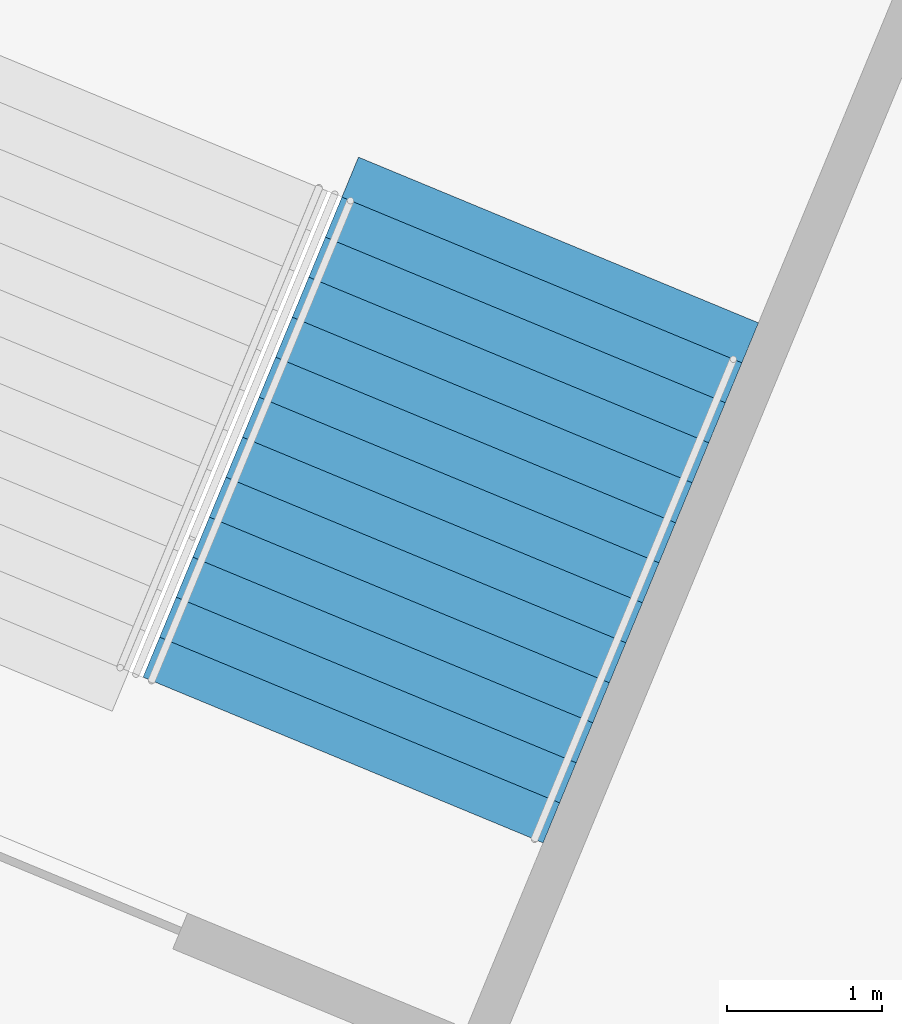
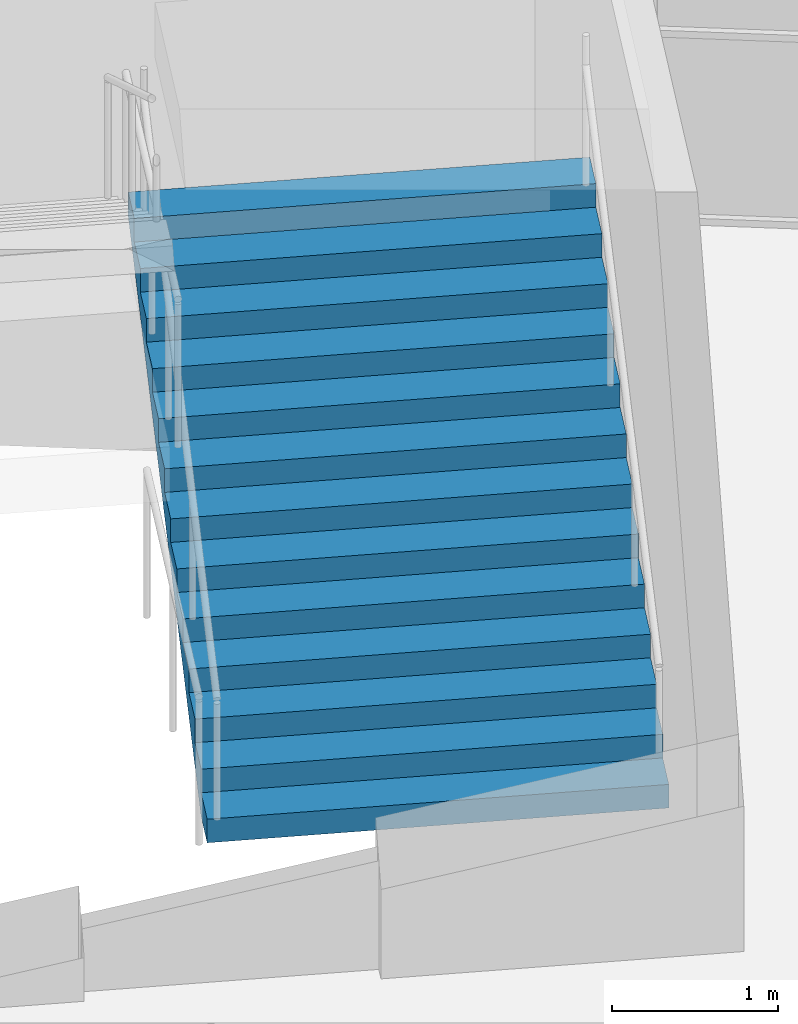
# One storey, part 182 of 199: 1 stair flight, 1 element without a shape of its own.
"""IFC4 building model written with IfcOpenShell, lengths in metres."""

from ifc_helpers import new_model, si_unit, direction, frame, origin, place, context, subcontext, project, spatial, faceted_brep, material, type_object, element, aggregate, save


model = new_model("IFC4")

# Units and contexts
model_context = context("Model", 3, precision=1e-05, world=origin(), true_north=direction((0.0, 1.0)))
body_context = subcontext(model_context, "Body", "Model", "MODEL_VIEW")
ifc_project = project(units=[si_unit("LENGTHUNIT", "METRE"), si_unit("AREAUNIT", "SQUARE_METRE"), si_unit("VOLUMEUNIT", "CUBIC_METRE"), si_unit("PLANEANGLEUNIT", "RADIAN"), si_unit("MASSUNIT", "GRAM", prefix="KILO")], contexts=[model_context])

# Site, building, storey
site_placement = place(None, origin())
site = spatial("IfcSite", under=ifc_project, at=site_placement, CompositionType="ELEMENT")
building_placement = place(site_placement, origin())
building = spatial("IfcBuilding", under=site, at=building_placement, Name="Ogive Plaza Stadium", CompositionType="ELEMENT")
storey_placement = place(building_placement, frame((0.0, 0.0, 9.0)))
storey = spatial("IfcBuildingStorey", under=building, at=storey_placement, Name="L02", CompositionType="ELEMENT", Elevation=9.0)

# Stair, stair flight
ifc_material_1 = material(Name="Concrete C40/50", Category="concrete")
stair_type = type_object("IfcStairType", Name="Exit stair", PredefinedType="STRAIGHT_RUN_STAIR", material=ifc_material_1)
stair_placement = place(storey_placement, origin())
stair = element("IfcStair", 1, at=stair_placement, inside=storey, type_object=stair_type, Name="Exit stair ST38A L02 to L03", PredefinedType="STRAIGHT_RUN_STAIR")
ifc_material_2 = material(Name="Concrete C40/50", Category="concrete")
stair_flight_type = type_object("IfcStairFlightType", Name="Exit stair flight", PredefinedType="STRAIGHT", material=ifc_material_2)
stair_flight_placement = place(storey_placement, frame((54.294921875, 89.932861328125, 0.0), z_axis=(0.0, 0.0, 1.0), x_axis=(0.382683432365, 0.923879532511, 0.0)))
stair_flight = element("IfcStairFlight", 2, at=stair_flight_placement, type_object=stair_flight_type, Name="ST38A flight 1", NumberOfRisers=13, NumberOfTreads=12, PredefinedType="STRAIGHT", RiserHeight=0.173076923, TreadLength=0.28, context=body_context, shape_type="Brep", body=[
    faceted_brep([(0.28515625, -1.39990234375, 0.0), (3.639892578125, -1.39990234375, 2.07373046875), (3.639892578125, -1.39990234375, 2.25), (3.360107421875, -1.39990234375, 2.25), (3.360107421875, -1.39990234375, 2.076904296875), (3.080078125, -1.39990234375, 2.076904296875), (3.080078125, -1.39990234375, 1.90380859375), (2.800048828125, -1.39990234375, 1.90380859375), (2.800048828125, -1.39990234375, 1.730712890625), (2.52001953125, -1.39990234375, 1.730712890625), (2.52001953125, -1.39990234375, 1.5576171875), (2.239990234375, -1.39990234375, 1.5576171875), (2.239990234375, -1.39990234375, 1.384521484375), (1.9599609375, -1.39990234375, 1.384521484375), (1.9599609375, -1.39990234375, 1.21142578125), (1.679931640625, -1.39990234375, 1.21142578125), (1.679931640625, -1.39990234375, 1.03857421875), (1.39990234375, -1.39990234375, 1.03857421875), (1.39990234375, -1.39990234375, 0.865478515625), (1.1201171875, -1.39990234375, 0.865478515625), (1.1201171875, -1.39990234375, 0.6923828125), (0.840087890625, -1.39990234375, 0.6923828125), (0.840087890625, -1.39990234375, 0.519287109375), (0.56005859375, -1.39990234375, 0.519287109375), (0.56005859375, -1.39990234375, 0.34619140625), (0.280029296875, -1.39990234375, 0.34619140625), (0.280029296875, -1.39990234375, 0.173095703125), (0.0, -1.39990234375, 0.173095703125), (0.0, -1.39990234375, 0.0), (0.0, 1.39990234375, 0.0), (0.0, 1.39990234375, 0.173095703125), (0.280029296875, 1.39990234375, 0.173095703125), (0.280029296875, 1.39990234375, 0.34619140625), (0.56005859375, 1.39990234375, 0.34619140625), (0.56005859375, 1.39990234375, 0.519287109375), (0.840087890625, 1.39990234375, 0.519287109375), (0.840087890625, 1.39990234375, 0.6923828125), (1.1201171875, 1.39990234375, 0.6923828125), (1.1201171875, 1.39990234375, 0.865478515625), (1.39990234375, 1.39990234375, 0.865478515625), (1.39990234375, 1.39990234375, 1.03857421875), (1.679931640625, 1.39990234375, 1.03857421875), (1.679931640625, 1.39990234375, 1.21142578125), (1.9599609375, 1.39990234375, 1.21142578125), (1.9599609375, 1.39990234375, 1.384521484375), (2.239990234375, 1.39990234375, 1.384521484375), (2.239990234375, 1.39990234375, 1.5576171875), (2.52001953125, 1.39990234375, 1.5576171875), (2.52001953125, 1.39990234375, 1.730712890625), (2.800048828125, 1.39990234375, 1.730712890625), (2.800048828125, 1.39990234375, 1.90380859375), (3.080078125, 1.39990234375, 1.90380859375), (3.080078125, 1.39990234375, 2.076904296875), (3.360107421875, 1.39990234375, 2.076904296875), (3.360107421875, 1.39990234375, 2.25), (3.639892578125, 1.39990234375, 2.25), (3.639892578125, 1.39990234375, 2.07373046875), (0.28515625, 1.39990234375, 0.0), (0.28515625, -1.0888671875, 0.0), (3.639892578125, -1.0888671875, 2.07373046875), (0.28515625, -0.77783203125, 0.0), (3.639892578125, -0.77783203125, 2.07373046875), (0.28515625, -0.466796875, 0.0), (3.639892578125, -0.466796875, 2.07373046875), (0.28515625, -0.155517578125, 0.0), (3.639892578125, -0.155517578125, 2.07373046875), (0.28515625, 0.155517578125, 0.0), (3.639892578125, 0.155517578125, 2.07373046875), (0.28515625, 0.466796875, 0.0), (3.639892578125, 0.466796875, 2.07373046875), (0.28515625, 0.77783203125, 0.0), (3.639892578125, 0.77783203125, 2.07373046875), (0.28515625, 1.0888671875, 0.0), (3.639892578125, 1.0888671875, 2.07373046875), (3.639892578125, -1.0888671875, 2.25), (3.639892578125, -0.77783203125, 2.25), (3.639892578125, -0.466796875, 2.25), (3.639892578125, -0.155517578125, 2.25), (3.639892578125, 0.155517578125, 2.25), (3.639892578125, 0.466796875, 2.25), (3.639892578125, 0.77783203125, 2.25), (3.639892578125, 1.0888671875, 2.25), (3.360107421875, -1.0888671875, 2.25), (3.360107421875, -0.77783203125, 2.25), (3.360107421875, -0.466796875, 2.25), (3.360107421875, -0.155517578125, 2.25), (3.360107421875, 0.155517578125, 2.25), (3.360107421875, 0.466796875, 2.25), (3.360107421875, 0.77783203125, 2.25), (3.360107421875, 1.0888671875, 2.25), (3.360107421875, -1.0888671875, 2.076904296875), (3.360107421875, -0.77783203125, 2.076904296875), (3.360107421875, -0.466796875, 2.076904296875), (3.360107421875, -0.155517578125, 2.076904296875), (3.360107421875, 0.155517578125, 2.076904296875), (3.360107421875, 0.466796875, 2.076904296875), (3.360107421875, 0.77783203125, 2.076904296875), (3.360107421875, 1.0888671875, 2.076904296875), (3.080078125, -1.0888671875, 2.076904296875), (3.080078125, -0.77783203125, 2.076904296875), (3.080078125, -0.466796875, 2.076904296875), (3.080078125, -0.155517578125, 2.076904296875), (3.080078125, 0.155517578125, 2.076904296875), (3.080078125, 0.466796875, 2.076904296875), (3.080078125, 0.77783203125, 2.076904296875), (3.080078125, 1.0888671875, 2.076904296875), (3.080078125, -1.0888671875, 1.90380859375), (3.080078125, -0.77783203125, 1.90380859375), (3.080078125, -0.466796875, 1.90380859375), (3.080078125, -0.155517578125, 1.90380859375), (3.080078125, 0.155517578125, 1.90380859375), (3.080078125, 0.466796875, 1.90380859375), (3.080078125, 0.77783203125, 1.90380859375), (3.080078125, 1.0888671875, 1.90380859375), (2.800048828125, -1.0888671875, 1.90380859375), (2.800048828125, -0.77783203125, 1.90380859375), (2.800048828125, -0.466796875, 1.90380859375), (2.800048828125, -0.155517578125, 1.90380859375), (2.800048828125, 0.155517578125, 1.90380859375), (2.800048828125, 0.466796875, 1.90380859375), (2.800048828125, 0.77783203125, 1.90380859375), (2.800048828125, 1.0888671875, 1.90380859375), (2.800048828125, -1.0888671875, 1.730712890625), (2.800048828125, -0.77783203125, 1.730712890625), (2.800048828125, -0.466796875, 1.730712890625), (2.800048828125, -0.155517578125, 1.730712890625), (2.800048828125, 0.155517578125, 1.730712890625), (2.800048828125, 0.466796875, 1.730712890625), (2.800048828125, 0.77783203125, 1.730712890625), (2.800048828125, 1.0888671875, 1.730712890625), (2.52001953125, -1.0888671875, 1.730712890625), (2.52001953125, -0.77783203125, 1.730712890625), (2.52001953125, -0.466796875, 1.730712890625), (2.52001953125, -0.155517578125, 1.730712890625), (2.52001953125, 0.155517578125, 1.730712890625), (2.52001953125, 0.466796875, 1.730712890625), (2.52001953125, 0.77783203125, 1.730712890625), (2.52001953125, 1.0888671875, 1.730712890625), (2.52001953125, -1.0888671875, 1.5576171875), (2.52001953125, -0.77783203125, 1.5576171875), (2.52001953125, -0.466796875, 1.5576171875), (2.52001953125, -0.155517578125, 1.5576171875), (2.52001953125, 0.155517578125, 1.5576171875), (2.52001953125, 0.466796875, 1.5576171875), (2.52001953125, 0.77783203125, 1.5576171875), (2.52001953125, 1.0888671875, 1.5576171875), (2.239990234375, -1.0888671875, 1.5576171875), (2.239990234375, -0.77783203125, 1.5576171875), (2.239990234375, -0.466796875, 1.5576171875), (2.239990234375, -0.155517578125, 1.5576171875), (2.239990234375, 0.155517578125, 1.5576171875), (2.239990234375, 0.466796875, 1.5576171875), (2.239990234375, 0.77783203125, 1.5576171875), (2.239990234375, 1.0888671875, 1.5576171875), (2.239990234375, -1.0888671875, 1.384521484375), (2.239990234375, -0.77783203125, 1.384521484375), (2.239990234375, -0.466796875, 1.384521484375), (2.239990234375, -0.155517578125, 1.384521484375), (2.239990234375, 0.155517578125, 1.384521484375), (2.239990234375, 0.466796875, 1.384521484375), (2.239990234375, 0.77783203125, 1.384521484375), (2.239990234375, 1.0888671875, 1.384521484375), (1.9599609375, -1.0888671875, 1.384521484375), (1.9599609375, -0.77783203125, 1.384521484375), (1.9599609375, -0.466796875, 1.384521484375), (1.9599609375, -0.155517578125, 1.384521484375), (1.9599609375, 0.155517578125, 1.384521484375), (1.9599609375, 0.466796875, 1.384521484375), (1.9599609375, 0.77783203125, 1.384521484375), (1.9599609375, 1.0888671875, 1.384521484375), (1.9599609375, -1.0888671875, 1.21142578125), (1.9599609375, -0.77783203125, 1.21142578125), (1.9599609375, -0.466796875, 1.21142578125), (1.9599609375, -0.155517578125, 1.21142578125), (1.9599609375, 0.155517578125, 1.21142578125), (1.9599609375, 0.466796875, 1.21142578125), (1.9599609375, 0.77783203125, 1.21142578125), (1.9599609375, 1.0888671875, 1.21142578125), (1.679931640625, -1.0888671875, 1.21142578125), (1.679931640625, -0.77783203125, 1.21142578125), (1.679931640625, -0.466796875, 1.21142578125), (1.679931640625, -0.155517578125, 1.21142578125), (1.679931640625, 0.155517578125, 1.21142578125), (1.679931640625, 0.466796875, 1.21142578125), (1.679931640625, 0.77783203125, 1.21142578125), (1.679931640625, 1.0888671875, 1.21142578125), (1.679931640625, -1.0888671875, 1.03857421875), (1.679931640625, -0.77783203125, 1.03857421875), (1.679931640625, -0.466796875, 1.03857421875), (1.679931640625, -0.155517578125, 1.03857421875), (1.679931640625, 0.155517578125, 1.03857421875), (1.679931640625, 0.466796875, 1.03857421875), (1.679931640625, 0.77783203125, 1.03857421875), (1.679931640625, 1.0888671875, 1.03857421875), (1.39990234375, -1.0888671875, 1.03857421875), (1.39990234375, -0.77783203125, 1.03857421875), (1.39990234375, -0.466796875, 1.03857421875), (1.39990234375, -0.155517578125, 1.03857421875), (1.39990234375, 0.155517578125, 1.03857421875), (1.39990234375, 0.466796875, 1.03857421875), (1.39990234375, 0.77783203125, 1.03857421875), (1.39990234375, 1.0888671875, 1.03857421875), (1.39990234375, -1.0888671875, 0.865478515625), (1.39990234375, -0.77783203125, 0.865478515625), (1.39990234375, -0.466796875, 0.865478515625), (1.39990234375, -0.155517578125, 0.865478515625), (1.39990234375, 0.155517578125, 0.865478515625), (1.39990234375, 0.466796875, 0.865478515625), (1.39990234375, 0.77783203125, 0.865478515625), (1.39990234375, 1.0888671875, 0.865478515625), (1.1201171875, -1.0888671875, 0.865478515625), (1.1201171875, -0.77783203125, 0.865478515625), (1.1201171875, -0.466796875, 0.865478515625), (1.1201171875, -0.155517578125, 0.865478515625), (1.1201171875, 0.155517578125, 0.865478515625), (1.1201171875, 0.466796875, 0.865478515625), (1.1201171875, 0.77783203125, 0.865478515625), (1.1201171875, 1.0888671875, 0.865478515625), (1.1201171875, -1.0888671875, 0.6923828125), (1.1201171875, -0.77783203125, 0.6923828125), (1.1201171875, -0.466796875, 0.6923828125), (1.1201171875, -0.155517578125, 0.6923828125), (1.1201171875, 0.155517578125, 0.6923828125), (1.1201171875, 0.466796875, 0.6923828125), (1.1201171875, 0.77783203125, 0.6923828125), (1.1201171875, 1.0888671875, 0.6923828125), (0.840087890625, -1.0888671875, 0.6923828125), (0.840087890625, -0.77783203125, 0.6923828125), (0.840087890625, -0.466796875, 0.6923828125), (0.840087890625, -0.155517578125, 0.6923828125), (0.840087890625, 0.155517578125, 0.6923828125), (0.840087890625, 0.466796875, 0.6923828125), (0.840087890625, 0.77783203125, 0.6923828125), (0.840087890625, 1.0888671875, 0.6923828125), (0.840087890625, -1.0888671875, 0.519287109375), (0.840087890625, -0.77783203125, 0.519287109375), (0.840087890625, -0.466796875, 0.519287109375), (0.840087890625, -0.155517578125, 0.519287109375), (0.840087890625, 0.155517578125, 0.519287109375), (0.840087890625, 0.466796875, 0.519287109375), (0.840087890625, 0.77783203125, 0.519287109375), (0.840087890625, 1.0888671875, 0.519287109375), (0.56005859375, -1.0888671875, 0.519287109375), (0.56005859375, -0.77783203125, 0.519287109375), (0.56005859375, -0.466796875, 0.519287109375), (0.56005859375, -0.155517578125, 0.519287109375), (0.56005859375, 0.155517578125, 0.519287109375), (0.56005859375, 0.466796875, 0.519287109375), (0.56005859375, 0.77783203125, 0.519287109375), (0.56005859375, 1.0888671875, 0.519287109375), (0.56005859375, -1.0888671875, 0.34619140625), (0.56005859375, -0.77783203125, 0.34619140625), (0.56005859375, -0.466796875, 0.34619140625), (0.56005859375, -0.155517578125, 0.34619140625), (0.56005859375, 0.155517578125, 0.34619140625), (0.56005859375, 0.466796875, 0.34619140625), (0.56005859375, 0.77783203125, 0.34619140625), (0.56005859375, 1.0888671875, 0.34619140625), (0.280029296875, -1.0888671875, 0.34619140625), (0.280029296875, -0.77783203125, 0.34619140625), (0.280029296875, -0.466796875, 0.34619140625), (0.280029296875, -0.155517578125, 0.34619140625), (0.280029296875, 0.155517578125, 0.34619140625), (0.280029296875, 0.466796875, 0.34619140625), (0.280029296875, 0.77783203125, 0.34619140625), (0.280029296875, 1.0888671875, 0.34619140625), (0.280029296875, -1.0888671875, 0.173095703125), (0.280029296875, -0.77783203125, 0.173095703125), (0.280029296875, -0.466796875, 0.173095703125), (0.280029296875, -0.155517578125, 0.173095703125), (0.280029296875, 0.155517578125, 0.173095703125), (0.280029296875, 0.466796875, 0.173095703125), (0.280029296875, 0.77783203125, 0.173095703125), (0.280029296875, 1.0888671875, 0.173095703125), (0.0, -1.0888671875, 0.173095703125), (0.0, -0.77783203125, 0.173095703125), (0.0, -0.466796875, 0.173095703125), (0.0, -0.155517578125, 0.173095703125), (0.0, 0.155517578125, 0.173095703125), (0.0, 0.466796875, 0.173095703125), (0.0, 0.77783203125, 0.173095703125), (0.0, 1.0888671875, 0.173095703125), (0.0, -1.0888671875, 0.0), (0.0, -0.77783203125, 0.0), (0.0, -0.466796875, 0.0), (0.0, -0.155517578125, 0.0), (0.0, 0.155517578125, 0.0), (0.0, 0.466796875, 0.0), (0.0, 0.77783203125, 0.0), (0.0, 1.0888671875, 0.0)], [[[0, 1, 2, 3, 4, 5, 6, 7, 8, 9, 10, 11, 12, 13, 14, 15, 16, 17, 18, 19, 20, 21, 22, 23, 24, 25, 26, 27, 28]], [[29, 30, 31, 32, 33, 34, 35, 36, 37, 38, 39, 40, 41, 42, 43, 44, 45, 46, 47, 48, 49, 50, 51, 52, 53, 54, 55, 56, 57]], [[0, 58, 59, 1]], [[58, 60, 61, 59]], [[60, 62, 63, 61]], [[62, 64, 65, 63]], [[64, 66, 67, 65]], [[66, 68, 69, 67]], [[68, 70, 71, 69]], [[70, 72, 73, 71]], [[72, 57, 56, 73]], [[1, 59, 74, 2]], [[59, 61, 75, 74]], [[61, 63, 76, 75]], [[63, 65, 77, 76]], [[65, 67, 78, 77]], [[67, 69, 79, 78]], [[69, 71, 80, 79]], [[71, 73, 81, 80]], [[73, 56, 55, 81]], [[2, 74, 82, 3]], [[74, 75, 83, 82]], [[75, 76, 84, 83]], [[76, 77, 85, 84]], [[77, 78, 86, 85]], [[78, 79, 87, 86]], [[79, 80, 88, 87]], [[80, 81, 89, 88]], [[81, 55, 54, 89]], [[3, 82, 90, 4]], [[82, 83, 91, 90]], [[83, 84, 92, 91]], [[84, 85, 93, 92]], [[85, 86, 94, 93]], [[86, 87, 95, 94]], [[87, 88, 96, 95]], [[88, 89, 97, 96]], [[89, 54, 53, 97]], [[4, 90, 98, 5]], [[90, 91, 99, 98]], [[91, 92, 100, 99]], [[92, 93, 101, 100]], [[93, 94, 102, 101]], [[94, 95, 103, 102]], [[95, 96, 104, 103]], [[96, 97, 105, 104]], [[97, 53, 52, 105]], [[5, 98, 106, 6]], [[98, 99, 107, 106]], [[99, 100, 108, 107]], [[100, 101, 109, 108]], [[101, 102, 110, 109]], [[102, 103, 111, 110]], [[103, 104, 112, 111]], [[104, 105, 113, 112]], [[105, 52, 51, 113]], [[6, 106, 114, 7]], [[106, 107, 115, 114]], [[107, 108, 116, 115]], [[108, 109, 117, 116]], [[109, 110, 118, 117]], [[110, 111, 119, 118]], [[111, 112, 120, 119]], [[112, 113, 121, 120]], [[113, 51, 50, 121]], [[7, 114, 122, 8]], [[114, 115, 123, 122]], [[115, 116, 124, 123]], [[116, 117, 125, 124]], [[117, 118, 126, 125]], [[118, 119, 127, 126]], [[119, 120, 128, 127]], [[120, 121, 129, 128]], [[121, 50, 49, 129]], [[8, 122, 130, 9]], [[122, 123, 131, 130]], [[123, 124, 132, 131]], [[124, 125, 133, 132]], [[125, 126, 134, 133]], [[126, 127, 135, 134]], [[127, 128, 136, 135]], [[128, 129, 137, 136]], [[129, 49, 48, 137]], [[9, 130, 138, 10]], [[130, 131, 139, 138]], [[131, 132, 140, 139]], [[132, 133, 141, 140]], [[133, 134, 142, 141]], [[134, 135, 143, 142]], [[135, 136, 144, 143]], [[136, 137, 145, 144]], [[137, 48, 47, 145]], [[10, 138, 146, 11]], [[138, 139, 147, 146]], [[139, 140, 148, 147]], [[140, 141, 149, 148]], [[141, 142, 150, 149]], [[142, 143, 151, 150]], [[143, 144, 152, 151]], [[144, 145, 153, 152]], [[145, 47, 46, 153]], [[11, 146, 154, 12]], [[146, 147, 155, 154]], [[147, 148, 156, 155]], [[148, 149, 157, 156]], [[149, 150, 158, 157]], [[150, 151, 159, 158]], [[151, 152, 160, 159]], [[152, 153, 161, 160]], [[153, 46, 45, 161]], [[12, 154, 162, 13]], [[154, 155, 163, 162]], [[155, 156, 164, 163]], [[156, 157, 165, 164]], [[157, 158, 166, 165]], [[158, 159, 167, 166]], [[159, 160, 168, 167]], [[160, 161, 169, 168]], [[161, 45, 44, 169]], [[13, 162, 170, 14]], [[162, 163, 171, 170]], [[163, 164, 172, 171]], [[164, 165, 173, 172]], [[165, 166, 174, 173]], [[166, 167, 175, 174]], [[167, 168, 176, 175]], [[168, 169, 177, 176]], [[169, 44, 43, 177]], [[14, 170, 178, 15]], [[170, 171, 179, 178]], [[171, 172, 180, 179]], [[172, 173, 181, 180]], [[173, 174, 182, 181]], [[174, 175, 183, 182]], [[175, 176, 184, 183]], [[176, 177, 185, 184]], [[177, 43, 42, 185]], [[15, 178, 186, 16]], [[178, 179, 187, 186]], [[179, 180, 188, 187]], [[180, 181, 189, 188]], [[181, 182, 190, 189]], [[182, 183, 191, 190]], [[183, 184, 192, 191]], [[184, 185, 193, 192]], [[185, 42, 41, 193]], [[16, 186, 194, 17]], [[186, 187, 195, 194]], [[187, 188, 196, 195]], [[188, 189, 197, 196]], [[189, 190, 198, 197]], [[190, 191, 199, 198]], [[191, 192, 200, 199]], [[192, 193, 201, 200]], [[193, 41, 40, 201]], [[17, 194, 202, 18]], [[194, 195, 203, 202]], [[195, 196, 204, 203]], [[196, 197, 205, 204]], [[197, 198, 206, 205]], [[198, 199, 207, 206]], [[199, 200, 208, 207]], [[200, 201, 209, 208]], [[201, 40, 39, 209]], [[18, 202, 210, 19]], [[202, 203, 211, 210]], [[203, 204, 212, 211]], [[204, 205, 213, 212]], [[205, 206, 214, 213]], [[206, 207, 215, 214]], [[207, 208, 216, 215]], [[208, 209, 217, 216]], [[209, 39, 38, 217]], [[19, 210, 218, 20]], [[210, 211, 219, 218]], [[211, 212, 220, 219]], [[212, 213, 221, 220]], [[213, 214, 222, 221]], [[214, 215, 223, 222]], [[215, 216, 224, 223]], [[216, 217, 225, 224]], [[217, 38, 37, 225]], [[20, 218, 226, 21]], [[218, 219, 227, 226]], [[219, 220, 228, 227]], [[220, 221, 229, 228]], [[221, 222, 230, 229]], [[222, 223, 231, 230]], [[223, 224, 232, 231]], [[224, 225, 233, 232]], [[225, 37, 36, 233]], [[21, 226, 234, 22]], [[226, 227, 235, 234]], [[227, 228, 236, 235]], [[228, 229, 237, 236]], [[229, 230, 238, 237]], [[230, 231, 239, 238]], [[231, 232, 240, 239]], [[232, 233, 241, 240]], [[233, 36, 35, 241]], [[22, 234, 242, 23]], [[234, 235, 243, 242]], [[235, 236, 244, 243]], [[236, 237, 245, 244]], [[237, 238, 246, 245]], [[238, 239, 247, 246]], [[239, 240, 248, 247]], [[240, 241, 249, 248]], [[241, 35, 34, 249]], [[23, 242, 250, 24]], [[242, 243, 251, 250]], [[243, 244, 252, 251]], [[244, 245, 253, 252]], [[245, 246, 254, 253]], [[246, 247, 255, 254]], [[247, 248, 256, 255]], [[248, 249, 257, 256]], [[249, 34, 33, 257]], [[24, 250, 258, 25]], [[250, 251, 259, 258]], [[251, 252, 260, 259]], [[252, 253, 261, 260]], [[253, 254, 262, 261]], [[254, 255, 263, 262]], [[255, 256, 264, 263]], [[256, 257, 265, 264]], [[257, 33, 32, 265]], [[25, 258, 266, 26]], [[258, 259, 267, 266]], [[259, 260, 268, 267]], [[260, 261, 269, 268]], [[261, 262, 270, 269]], [[262, 263, 271, 270]], [[263, 264, 272, 271]], [[264, 265, 273, 272]], [[265, 32, 31, 273]], [[26, 266, 274, 27]], [[266, 267, 275, 274]], [[267, 268, 276, 275]], [[268, 269, 277, 276]], [[269, 270, 278, 277]], [[270, 271, 279, 278]], [[271, 272, 280, 279]], [[272, 273, 281, 280]], [[273, 31, 30, 281]], [[27, 274, 282, 28]], [[274, 275, 283, 282]], [[275, 276, 284, 283]], [[276, 277, 285, 284]], [[277, 278, 286, 285]], [[278, 279, 287, 286]], [[279, 280, 288, 287]], [[280, 281, 289, 288]], [[281, 30, 29, 289]], [[28, 282, 58, 0]], [[282, 283, 60, 58]], [[283, 284, 62, 60]], [[284, 285, 64, 62]], [[285, 286, 66, 64]], [[286, 287, 68, 66]], [[287, 288, 70, 68]], [[288, 289, 72, 70]], [[289, 29, 57, 72]]]),
])
aggregate(stair, [stair_flight])

save(model, "model.ifc")
